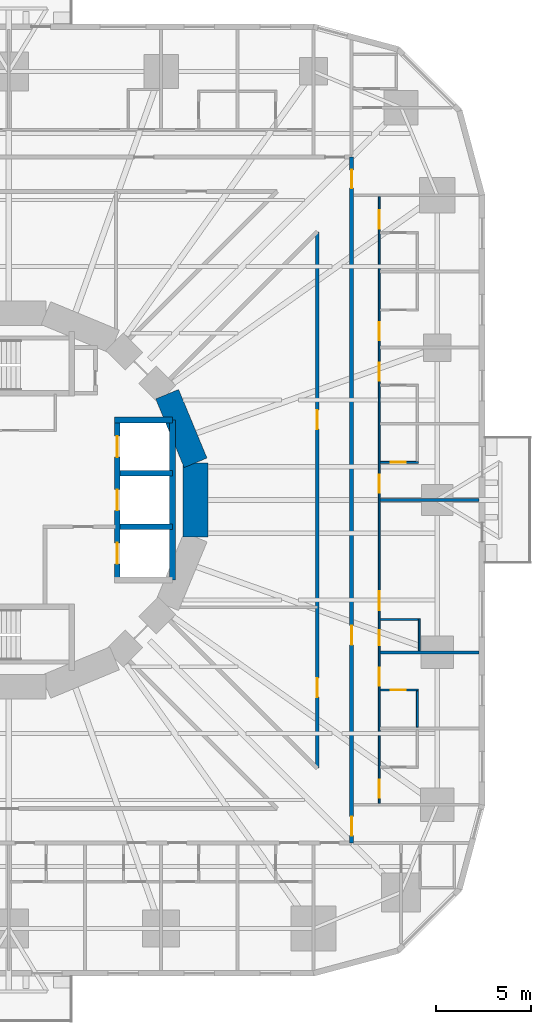
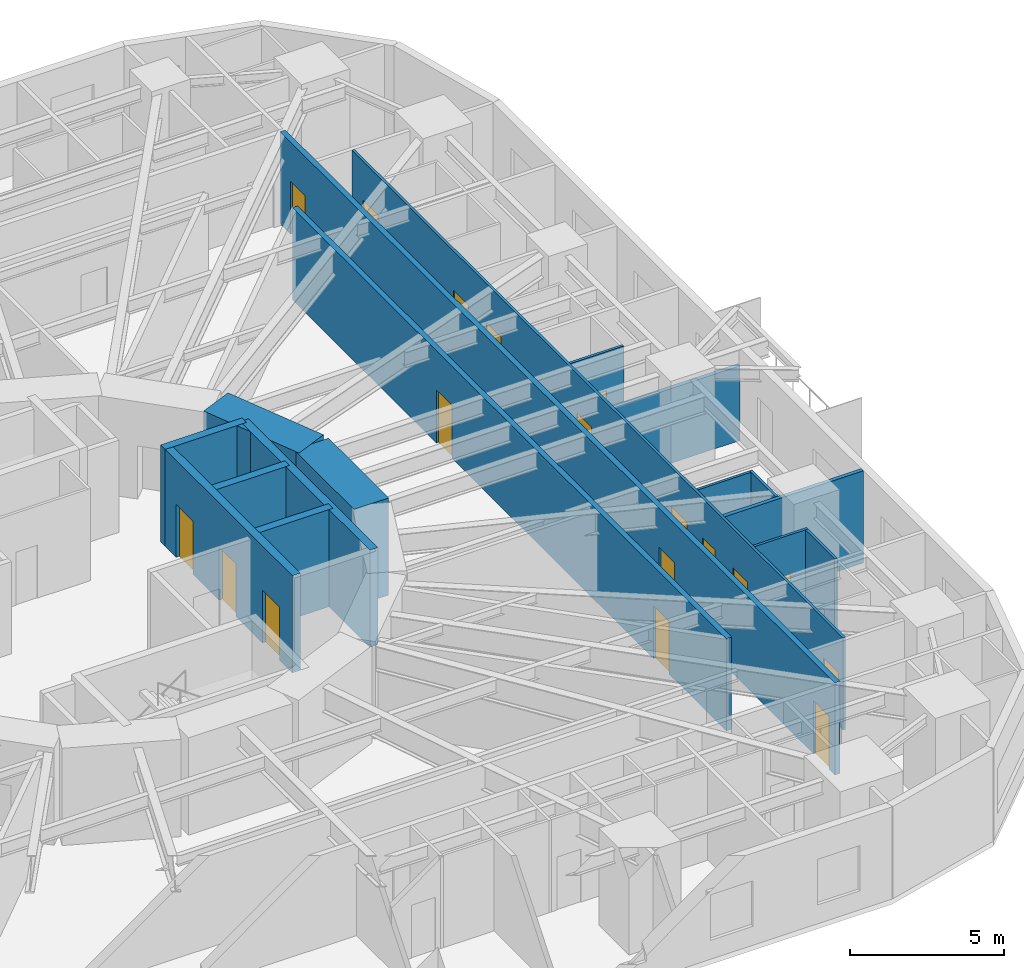
# One storey, part 8 of 14: 18 doors, 17 walls, 18 openings.
"""IFC4 building model written with IfcOpenShell, lengths in metres."""

from ifc_helpers import new_model, si_unit, direction, frame, frame_2d, origin, place, context, subcontext, project, spatial, rectangle, extrude, material, layer, layer_set, type_object, element, fill, save


model = new_model("IFC4")

# Units and contexts
model_context = context("Model", 3, precision=1e-05, world=origin(), true_north=direction((0.0, 1.0)))
body_context = subcontext(model_context, "Body", "Model", "MODEL_VIEW")
ifc_project = project(units=[si_unit("LENGTHUNIT", "METRE"), si_unit("AREAUNIT", "SQUARE_METRE"), si_unit("VOLUMEUNIT", "CUBIC_METRE"), si_unit("PLANEANGLEUNIT", "RADIAN"), si_unit("MASSUNIT", "GRAM", prefix="KILO")], contexts=[model_context])

# Site, building, storey
site_placement = place(None, origin())
site = spatial("IfcSite", under=ifc_project, at=site_placement, CompositionType="ELEMENT")
building_placement = place(site_placement, origin())
building = spatial("IfcBuilding", under=site, at=building_placement, Name="Nakasero Lantern House", CompositionType="ELEMENT")
storey_placement = place(building_placement, frame((0.0, 0.0, 35.25)))
storey = spatial("IfcBuildingStorey", under=building, at=storey_placement, Name="L08", CompositionType="ELEMENT", Elevation=35.25)

# Wall, openings, doors
ifc_material_1 = material(Name="Blockwork", Category="masonry")
ifc_layer_1 = layer(ifc_material_1, 0.10009765625)
ifc_layer_set_1 = layer_set([ifc_layer_1], Name="Cluster hall wall 100")
wall_type_1 = type_object("IfcWallType", Name="Cluster hall wall 100", PredefinedType="PARTITIONING", material=ifc_layer_set_1)
wall_1_placement = place(storey_placement, frame((19.449951171875, -15.925048828125, 0.0), z_axis=(0.0, 0.0, 1.0), x_axis=(0.0, 1.0, 0.0)))
wall_1 = element("IfcWall", 1, at=wall_1_placement, inside=storey, type_object=wall_type_1, Name="Cluster hall wall L08 HW0-0", PredefinedType="PARTITIONING", context=body_context, shape_type="SweptSolid", body=[
    extrude(rectangle(XDim=31.85009765625, YDim=0.10009765625, at=frame_2d((15.925048828125, 0.0))), origin(), (0.0, 0.0, 1.0), 3.64990234375),
])
opening_1_placement = place(wall_1_placement, frame((10.125, 0.0, 0.0)))
opening_1 = element("IfcOpeningElement", 2, at=opening_1_placement, cuts=wall_1, Name="Opening D03", PredefinedType="OPENING", context=body_context, shape_type="SweptSolid", body=[
    extrude(rectangle(XDim=1.0, YDim=2.10009765625, at=frame_2d((0.5, 1.050048828125))), frame((0.0, 0.070068359375, 0.0), z_axis=(0.0, -1.0, 0.0), x_axis=(1.0, 0.0, 0.0)), (0.0, 0.0, 1.0), 0.14013671875),
])
opening_2_placement = place(wall_1_placement, frame((8.300048828125, 0.0, 0.0)))
opening_2 = element("IfcOpeningElement", 3, at=opening_2_placement, cuts=wall_1, Name="Opening D02", PredefinedType="OPENING", context=body_context, shape_type="SweptSolid", body=[
    extrude(rectangle(XDim=0.800048828125, YDim=2.10009765625, at=frame_2d((0.39990234375, 1.050048828125))), frame((0.0, 0.070068359375, 0.0), z_axis=(0.0, -1.0, 0.0), x_axis=(1.0, 0.0, 0.0)), (0.0, 0.0, 1.0), 0.14013671875),
])
opening_3_placement = place(wall_1_placement, frame((0.300048828125, 0.0, 0.0)))
opening_3 = element("IfcOpeningElement", 4, at=opening_3_placement, cuts=wall_1, Name="Opening D01", PredefinedType="OPENING", context=body_context, shape_type="SweptSolid", body=[
    extrude(rectangle(XDim=0.949951171875, YDim=2.10009765625, at=frame_2d((0.47509765625, 1.050048828125))), frame((0.0, 0.070068359375, 0.0), z_axis=(0.0, -1.0, 0.0), x_axis=(1.0, 0.0, 0.0)), (0.0, 0.0, 1.0), 0.14013671875),
])
opening_4_placement = place(wall_1_placement, frame((6.175048828125, 0.0, 0.0)))
opening_4 = element("IfcOpeningElement", 5, at=opening_4_placement, cuts=wall_1, Name="Opening D01", PredefinedType="OPENING", context=body_context, shape_type="SweptSolid", body=[
    extrude(rectangle(XDim=0.949951171875, YDim=2.10009765625, at=frame_2d((0.47509765625, 1.050048828125))), frame((0.0, 0.070068359375, 0.0), z_axis=(0.0, -1.0, 0.0), x_axis=(1.0, 0.0, 0.0)), (0.0, 0.0, 1.0), 0.14013671875),
])
opening_5_placement = place(wall_1_placement, frame((16.300048828125, 0.0, 0.0)))
opening_5 = element("IfcOpeningElement", 6, at=opening_5_placement, cuts=wall_1, Name="Opening D01", PredefinedType="OPENING", context=body_context, shape_type="SweptSolid", body=[
    extrude(rectangle(XDim=0.949951171875, YDim=2.10009765625, at=frame_2d((0.47509765625, 1.050048828125))), frame((0.0, 0.070068359375, 0.0), z_axis=(0.0, -1.0, 0.0), x_axis=(1.0, 0.0, 0.0)), (0.0, 0.0, 1.0), 0.14013671875),
])
opening_6_placement = place(wall_1_placement, frame((22.175048828125, 0.0, 0.0)))
opening_6 = element("IfcOpeningElement", 7, at=opening_6_placement, cuts=wall_1, Name="Opening D01", PredefinedType="OPENING", context=body_context, shape_type="SweptSolid", body=[
    extrude(rectangle(XDim=0.949951171875, YDim=2.10009765625, at=frame_2d((0.47509765625, 1.050048828125))), frame((0.0, 0.070068359375, 0.0), z_axis=(0.0, -1.0, 0.0), x_axis=(1.0, 0.0, 0.0)), (0.0, 0.0, 1.0), 0.14013671875),
])
opening_7_placement = place(wall_1_placement, frame((24.300048828125, 0.0, 0.0)))
opening_7 = element("IfcOpeningElement", 8, at=opening_7_placement, cuts=wall_1, Name="Opening D01", PredefinedType="OPENING", context=body_context, shape_type="SweptSolid", body=[
    extrude(rectangle(XDim=0.949951171875, YDim=2.10009765625, at=frame_2d((0.47509765625, 1.050048828125))), frame((0.0, 0.070068359375, 0.0), z_axis=(0.0, -1.0, 0.0), x_axis=(1.0, 0.0, 0.0)), (0.0, 0.0, 1.0), 0.14013671875),
])
opening_8_placement = place(wall_1_placement, frame((30.175048828125, 0.0, 0.0)))
opening_8 = element("IfcOpeningElement", 9, at=opening_8_placement, cuts=wall_1, Name="Opening D01", PredefinedType="OPENING", context=body_context, shape_type="SweptSolid", body=[
    extrude(rectangle(XDim=0.949951171875, YDim=2.10009765625, at=frame_2d((0.47509765625, 1.050048828125))), frame((0.0, 0.070068359375, 0.0), z_axis=(0.0, -1.0, 0.0), x_axis=(1.0, 0.0, 0.0)), (0.0, 0.0, 1.0), 0.14013671875),
])
ifc_material_2 = material(Name="Timber C24", Category="wood")
door_type_1 = type_object("IfcDoorType", Name="Bedroom door FD30S 950", OperationType="SINGLE_SWING_LEFT", PredefinedType="DOOR", material=ifc_material_2)
door_1_placement = place(opening_3_placement, origin())
door_1 = element("IfcDoor", 10, at=door_1_placement, inside=storey, type_object=door_type_1, Name="Door L08 D0-01", OperationType="SINGLE_SWING_LEFT", OverallHeight=2.10009765625, OverallWidth=0.949951171875, PredefinedType="DOOR", context=body_context, shape_type="SweptSolid", body=[
    extrude(rectangle(XDim=0.949951171875, YDim=2.10009765625, at=frame_2d((0.47509765625, 1.050048828125))), frame((0.0, 0.02490234375, 0.0), z_axis=(0.0, -1.0, 0.0), x_axis=(1.0, 0.0, 0.0)), (0.0, 0.0, 1.0), 0.050048828125),
])
fill(opening_3, door_1)
door_2_placement = place(opening_4_placement, origin())
door_2 = element("IfcDoor", 11, at=door_2_placement, inside=storey, type_object=door_type_1, Name="Door L08 D0-02", OperationType="SINGLE_SWING_LEFT", OverallHeight=2.10009765625, OverallWidth=0.949951171875, PredefinedType="DOOR", context=body_context, shape_type="SweptSolid", body=[
    extrude(rectangle(XDim=0.949951171875, YDim=2.10009765625, at=frame_2d((0.47509765625, 1.050048828125))), frame((0.0, 0.02490234375, 0.0), z_axis=(0.0, -1.0, 0.0), x_axis=(1.0, 0.0, 0.0)), (0.0, 0.0, 1.0), 0.050048828125),
])
fill(opening_4, door_2)
door_3_placement = place(opening_5_placement, origin())
door_3 = element("IfcDoor", 12, at=door_3_placement, inside=storey, type_object=door_type_1, Name="Door L08 D0-05", OperationType="SINGLE_SWING_RIGHT", OverallHeight=2.10009765625, OverallWidth=0.949951171875, PredefinedType="DOOR", context=body_context, shape_type="SweptSolid", body=[
    extrude(rectangle(XDim=0.949951171875, YDim=2.10009765625, at=frame_2d((0.47509765625, 1.050048828125))), frame((0.0, 0.02490234375, 0.0), z_axis=(0.0, -1.0, 0.0), x_axis=(1.0, 0.0, 0.0)), (0.0, 0.0, 1.0), 0.050048828125),
])
fill(opening_5, door_3)
door_4_placement = place(opening_6_placement, origin())
door_4 = element("IfcDoor", 13, at=door_4_placement, inside=storey, type_object=door_type_1, Name="Door L08 D0-06", OperationType="SINGLE_SWING_RIGHT", OverallHeight=2.10009765625, OverallWidth=0.949951171875, PredefinedType="DOOR", context=body_context, shape_type="SweptSolid", body=[
    extrude(rectangle(XDim=0.949951171875, YDim=2.10009765625, at=frame_2d((0.47509765625, 1.050048828125))), frame((0.0, 0.02490234375, 0.0), z_axis=(0.0, -1.0, 0.0), x_axis=(1.0, 0.0, 0.0)), (0.0, 0.0, 1.0), 0.050048828125),
])
fill(opening_6, door_4)
door_5_placement = place(opening_7_placement, origin())
door_5 = element("IfcDoor", 14, at=door_5_placement, inside=storey, type_object=door_type_1, Name="Door L08 D0-07", OperationType="SINGLE_SWING_RIGHT", OverallHeight=2.10009765625, OverallWidth=0.949951171875, PredefinedType="DOOR", context=body_context, shape_type="SweptSolid", body=[
    extrude(rectangle(XDim=0.949951171875, YDim=2.10009765625, at=frame_2d((0.47509765625, 1.050048828125))), frame((0.0, 0.02490234375, 0.0), z_axis=(0.0, -1.0, 0.0), x_axis=(1.0, 0.0, 0.0)), (0.0, 0.0, 1.0), 0.050048828125),
])
fill(opening_7, door_5)
door_6_placement = place(opening_8_placement, origin())
door_6 = element("IfcDoor", 15, at=door_6_placement, inside=storey, type_object=door_type_1, Name="Door L08 D0-08", OperationType="SINGLE_SWING_RIGHT", OverallHeight=2.10009765625, OverallWidth=0.949951171875, PredefinedType="DOOR", context=body_context, shape_type="SweptSolid", body=[
    extrude(rectangle(XDim=0.949951171875, YDim=2.10009765625, at=frame_2d((0.47509765625, 1.050048828125))), frame((0.0, 0.02490234375, 0.0), z_axis=(0.0, -1.0, 0.0), x_axis=(1.0, 0.0, 0.0)), (0.0, 0.0, 1.0), 0.050048828125),
])
fill(opening_8, door_6)
ifc_material_3 = material(Name="Timber C24", Category="wood")
door_type_2 = type_object("IfcDoorType", Name="En-suite door 800", OperationType="SINGLE_SWING_RIGHT", PredefinedType="DOOR", material=ifc_material_3)
door_7_placement = place(opening_2_placement, origin())
door_7 = element("IfcDoor", 16, at=door_7_placement, inside=storey, type_object=door_type_2, Name="Door L08 DSH0-0", OperationType="SINGLE_SWING_LEFT", OverallHeight=2.10009765625, OverallWidth=0.800048828125, PredefinedType="DOOR", context=body_context, shape_type="SweptSolid", body=[
    extrude(rectangle(XDim=0.800048828125, YDim=2.10009765625, at=frame_2d((0.39990234375, 1.050048828125))), frame((0.0, 0.02490234375, 0.0), z_axis=(0.0, -1.0, 0.0), x_axis=(1.0, 0.0, 0.0)), (0.0, 0.0, 1.0), 0.050048828125),
])
fill(opening_2, door_7)
ifc_material_4 = material(Name="Timber C24", Category="wood")
door_type_3 = type_object("IfcDoorType", Name="Lounge door FD30S 1000", OperationType="SINGLE_SWING_LEFT", PredefinedType="DOOR", material=ifc_material_4)
door_8_placement = place(opening_1_placement, origin())
door_8 = element("IfcDoor", 17, at=door_8_placement, inside=storey, type_object=door_type_3, Name="Door L08 DH0-0", OperationType="SINGLE_SWING_LEFT", OverallHeight=2.10009765625, OverallWidth=1.0, PredefinedType="DOOR", context=body_context, shape_type="SweptSolid", body=[
    extrude(rectangle(XDim=1.0, YDim=2.10009765625, at=frame_2d((0.5, 1.050048828125))), frame((0.0, 0.02490234375, 0.0), z_axis=(0.0, -1.0, 0.0), x_axis=(1.0, 0.0, 0.0)), (0.0, 0.0, 1.0), 0.050048828125),
])
fill(opening_1, door_8)

ifc_material_5 = material(Name="Concrete C50/60", Category="concrete")
ifc_layer_2 = layer(ifc_material_5, 0.300048828125)
ifc_layer_set_2 = layer_set([ifc_layer_2], Name="Core inner wall 300")
wall_type_2 = type_object("IfcWallType", Name="Core inner wall 300", PredefinedType="SHEAR", material=ifc_layer_set_2)
wall_2_placement = place(storey_placement, frame((5.699951171875, -4.199951171875, 0.0), z_axis=(0.0, 0.0, 1.0), x_axis=(0.0, 1.0, 0.0)))
wall_2 = element("IfcWall", 18, at=wall_2_placement, inside=storey, type_object=wall_type_2, Name="Core inner wall L08 LE", PredefinedType="SHEAR", context=body_context, shape_type="SweptSolid", body=[
    extrude(rectangle(XDim=8.39990234375, YDim=0.300048828125, at=frame_2d((4.199951171875, 0.0))), origin(), (0.0, 0.0, 1.0), 3.85009765625),
])
opening_9_placement = place(wall_2_placement, frame((0.85009765625, 0.0, 0.0)))
opening_9 = element("IfcOpeningElement", 19, at=opening_9_placement, cuts=wall_2, Name="Opening LD", PredefinedType="OPENING", context=body_context, shape_type="SweptSolid", body=[
    extrude(rectangle(XDim=1.10009765625, YDim=2.10009765625, at=frame_2d((0.550048828125, 1.050048828125))), frame((0.0, 0.169921875, 0.0), z_axis=(0.0, -1.0, 0.0), x_axis=(1.0, 0.0, 0.0)), (0.0, 0.0, 1.0), 0.340087890625),
])
opening_10_placement = place(wall_2_placement, frame((3.64990234375, 0.0, 0.0)))
opening_10 = element("IfcOpeningElement", 20, at=opening_10_placement, cuts=wall_2, Name="Opening LD", PredefinedType="OPENING", context=body_context, shape_type="SweptSolid", body=[
    extrude(rectangle(XDim=1.10009765625, YDim=2.10009765625, at=frame_2d((0.550048828125, 1.050048828125))), frame((0.0, 0.169921875, 0.0), z_axis=(0.0, -1.0, 0.0), x_axis=(1.0, 0.0, 0.0)), (0.0, 0.0, 1.0), 0.340087890625),
])
opening_11_placement = place(wall_2_placement, frame((6.449951171875, 0.0, 0.0)))
opening_11 = element("IfcOpeningElement", 21, at=opening_11_placement, cuts=wall_2, Name="Opening LD", PredefinedType="OPENING", context=body_context, shape_type="SweptSolid", body=[
    extrude(rectangle(XDim=1.10009765625, YDim=2.10009765625, at=frame_2d((0.550048828125, 1.050048828125))), frame((0.0, 0.169921875, 0.0), z_axis=(0.0, -1.0, 0.0), x_axis=(1.0, 0.0, 0.0)), (0.0, 0.0, 1.0), 0.340087890625),
])
ifc_material_6 = material(Name="Steel S355", Category="steel")
door_type_4 = type_object("IfcDoorType", Name="Lift landing door E120 1100", OperationType="SLIDING_TO_LEFT", PredefinedType="DOOR", material=ifc_material_6)
door_9_placement = place(opening_9_placement, origin())
door_9 = element("IfcDoor", 22, at=door_9_placement, inside=storey, type_object=door_type_4, Name="Lift landing door LE1", OperationType="SLIDING_TO_LEFT", OverallHeight=2.10009765625, OverallWidth=1.10009765625, PredefinedType="DOOR", context=body_context, shape_type="SweptSolid", body=[
    extrude(rectangle(XDim=1.10009765625, YDim=2.10009765625, at=frame_2d((0.550048828125, 1.050048828125))), frame((0.0, 0.02490234375, 0.0), z_axis=(0.0, -1.0, 0.0), x_axis=(1.0, 0.0, 0.0)), (0.0, 0.0, 1.0), 0.050048828125),
])
fill(opening_9, door_9)
door_10_placement = place(opening_10_placement, origin())
door_10 = element("IfcDoor", 23, at=door_10_placement, inside=storey, type_object=door_type_4, Name="Lift landing door LE2", OperationType="SLIDING_TO_LEFT", OverallHeight=2.10009765625, OverallWidth=1.10009765625, PredefinedType="DOOR", context=body_context, shape_type="SweptSolid", body=[
    extrude(rectangle(XDim=1.10009765625, YDim=2.10009765625, at=frame_2d((0.550048828125, 1.050048828125))), frame((0.0, 0.02490234375, 0.0), z_axis=(0.0, -1.0, 0.0), x_axis=(1.0, 0.0, 0.0)), (0.0, 0.0, 1.0), 0.050048828125),
])
fill(opening_10, door_10)
door_11_placement = place(opening_11_placement, origin())
door_11 = element("IfcDoor", 24, at=door_11_placement, inside=storey, type_object=door_type_4, Name="Lift landing door LE3", OperationType="SLIDING_TO_LEFT", OverallHeight=2.10009765625, OverallWidth=1.10009765625, PredefinedType="DOOR", context=body_context, shape_type="SweptSolid", body=[
    extrude(rectangle(XDim=1.10009765625, YDim=2.10009765625, at=frame_2d((0.550048828125, 1.050048828125))), frame((0.0, 0.02490234375, 0.0), z_axis=(0.0, -1.0, 0.0), x_axis=(1.0, 0.0, 0.0)), (0.0, 0.0, 1.0), 0.050048828125),
])
fill(opening_11, door_11)

# Walls
wall_3_placement = place(storey_placement, frame((5.550048828125, 4.199951171875, 0.0), z_axis=(0.0, 0.0, 1.0), x_axis=(1.0, 0.0, 0.0)))
element("IfcWall", 25, at=wall_3_placement, inside=storey, type_object=wall_type_2, Name="Core inner wall L08 LEN", PredefinedType="SHEAR", context=body_context, shape_type="SweptSolid", body=[
    extrude(rectangle(XDim=3.050048828125, YDim=0.300048828125, at=frame_2d((1.52490234375, 0.0))), origin(), (0.0, 0.0, 1.0), 3.85009765625),
])
wall_4_placement = place(storey_placement, frame((8.60009765625, -4.199951171875, 0.0), z_axis=(0.0, 0.0, 1.0), x_axis=(0.0, 1.0, 0.0)))
element("IfcWall", 26, at=wall_4_placement, inside=storey, type_object=wall_type_2, Name="Core inner wall L08 LEB", PredefinedType="SHEAR", context=body_context, shape_type="SweptSolid", body=[
    extrude(rectangle(XDim=8.39990234375, YDim=0.300048828125, at=frame_2d((4.199951171875, 0.0))), origin(), (0.0, 0.0, 1.0), 3.85009765625),
])
for number, where, z_axis, x_axis, name in (
    (27, (5.85009765625, -1.39990234375, 0.0), (0.0, 0.0, 1.0), (1.0, 0.0, 0.0), "Core inner wall L08 LE1"),
    (28, (5.85009765625, 1.39990234375, 0.0), (0.0, 0.0, 1.0), (1.0, 0.0, 0.0), "Core inner wall L08 LE2"),
):
    element("IfcWall", number, at=place(storey_placement, frame(where, z_axis=z_axis, x_axis=x_axis)), inside=storey, type_object=wall_type_2, Name=name, PredefinedType="SHEAR", context=body_context, shape_type="SweptSolid", body=[
        extrude(rectangle(XDim=2.75, YDim=0.300048828125, at=frame_2d((1.375, 0.0))), origin(), (0.0, 0.0, 1.0), 3.85009765625),
    ])
ifc_material_7 = material(Name="Concrete C50/60", Category="concrete")
ifc_layer_3 = layer(ifc_material_7, 1.300048828125)
ifc_layer_set_3 = layer_set([ifc_layer_3], Name="Core wall 1300")
wall_type_3 = type_object("IfcWallType", Name="Core wall 1300", PredefinedType="SHEAR", material=ifc_layer_set_3)
for number, where, z_axis, x_axis, name in (
    (29, (9.807861328125, 1.950927734375, 0.0), (0.0, 0.0, 1.0), (-0.382690736062, 0.923876507187, 0.0), "Core wall L08 facet 1"),
    (30, (9.807861328125, -1.950927734375, 0.0), (0.0, 0.0, 1.0), (0.0, 1.0, 0.0), "Core wall L08 facet 16"),
):
    element("IfcWall", number, at=place(storey_placement, frame(where, z_axis=z_axis, x_axis=x_axis)), inside=storey, type_object=wall_type_3, Name=name, PredefinedType="SHEAR", context=body_context, shape_type="SweptSolid", body=[
        extrude(rectangle(XDim=3.90185546875, YDim=1.300048828125, at=frame_2d((1.950927734375, 0.0))), origin(), (0.0, 0.0, 1.0), 3.85009765625),
    ])

# Wall, openings, doors
ifc_material_8 = material(Name="Blockwork", Category="masonry")
ifc_layer_4 = layer(ifc_material_8, 0.199951171875)
ifc_layer_set_4 = layer_set([ifc_layer_4], Name="Corridor wall 200")
wall_type_4 = type_object("IfcWallType", Name="Corridor wall 200", PredefinedType="PARTITIONING", material=ifc_layer_set_4)
wall_5_placement = place(storey_placement, frame((18.0, -18.0, 0.0), z_axis=(0.0, 0.0, 1.0), x_axis=(0.0, 1.0, 0.0)))
wall_5 = element("IfcWall", 31, at=wall_5_placement, inside=storey, type_object=wall_type_4, Name="Corridor wall L08 CW0", PredefinedType="PARTITIONING", context=body_context, shape_type="SweptSolid", body=[
    extrude(rectangle(XDim=36.0, YDim=0.199951171875, at=frame_2d((18.0, 0.0))), origin(), (0.0, 0.0, 1.0), 3.64990234375),
])
opening_12_placement = place(wall_5_placement, frame((10.39990234375, 0.0, 0.0)))
opening_12 = element("IfcOpeningElement", 32, at=opening_12_placement, cuts=wall_5, Name="Opening D14", PredefinedType="OPENING", context=body_context, shape_type="SweptSolid", body=[
    extrude(rectangle(XDim=1.0, YDim=2.10009765625, at=frame_2d((0.5, 1.050048828125))), frame((0.0, 0.119873046875, 0.0), z_axis=(0.0, -1.0, 0.0), x_axis=(1.0, 0.0, 0.0)), (0.0, 0.0, 1.0), 0.239990234375),
])
opening_13_placement = place(wall_5_placement, frame((0.375, 0.0, 0.0)))
opening_13 = element("IfcOpeningElement", 33, at=opening_13_placement, cuts=wall_5, Name="Opening D07", PredefinedType="OPENING", context=body_context, shape_type="SweptSolid", body=[
    extrude(rectangle(XDim=1.0, YDim=2.10009765625, at=frame_2d((0.5, 1.050048828125))), frame((0.0, 0.119873046875, 0.0), z_axis=(0.0, -1.0, 0.0), x_axis=(1.0, 0.0, 0.0)), (0.0, 0.0, 1.0), 0.239990234375),
])
opening_14_placement = place(wall_5_placement, frame((34.375, 0.0, 0.0)))
opening_14 = element("IfcOpeningElement", 34, at=opening_14_placement, cuts=wall_5, Name="Opening D01", PredefinedType="OPENING", context=body_context, shape_type="SweptSolid", body=[
    extrude(rectangle(XDim=0.949951171875, YDim=2.10009765625, at=frame_2d((0.47509765625, 1.050048828125))), frame((0.0, 0.119873046875, 0.0), z_axis=(0.0, -1.0, 0.0), x_axis=(1.0, 0.0, 0.0)), (0.0, 0.0, 1.0), 0.239990234375),
])
door_12_placement = place(opening_14_placement, origin())
door_12 = element("IfcDoor", 35, at=door_12_placement, inside=storey, type_object=door_type_1, Name="Door L08 D0-09", OperationType="SINGLE_SWING_RIGHT", OverallHeight=2.10009765625, OverallWidth=0.949951171875, PredefinedType="DOOR", context=body_context, shape_type="SweptSolid", body=[
    extrude(rectangle(XDim=0.949951171875, YDim=2.10009765625, at=frame_2d((0.47509765625, 1.050048828125))), frame((0.0, 0.02490234375, 0.0), z_axis=(0.0, -1.0, 0.0), x_axis=(1.0, 0.0, 0.0)), (0.0, 0.0, 1.0), 0.050048828125),
])
fill(opening_14, door_12)
ifc_material_9 = material(Name="Timber C24", Category="wood")
door_type_5 = type_object("IfcDoorType", Name="Cluster entrance door FD30S 1000", OperationType="SINGLE_SWING_LEFT", PredefinedType="DOOR", material=ifc_material_9)
door_13_placement = place(opening_12_placement, origin())
door_13 = element("IfcDoor", 36, at=door_13_placement, inside=storey, type_object=door_type_5, Name="Door L08 DF0-0", OperationType="SINGLE_SWING_LEFT", OverallHeight=2.10009765625, OverallWidth=1.0, PredefinedType="DOOR", context=body_context, shape_type="SweptSolid", body=[
    extrude(rectangle(XDim=1.0, YDim=2.10009765625, at=frame_2d((0.5, 1.050048828125))), frame((0.0, 0.02490234375, 0.0), z_axis=(0.0, -1.0, 0.0), x_axis=(1.0, 0.0, 0.0)), (0.0, 0.0, 1.0), 0.050048828125),
])
fill(opening_12, door_13)
ifc_material_10 = material(Name="Timber C24", Category="wood")
door_type_6 = type_object("IfcDoorType", Name="Room door FD30S 1000", OperationType="SINGLE_SWING_LEFT", PredefinedType="DOOR", material=ifc_material_10)
door_14_placement = place(opening_13_placement, origin())
door_14 = element("IfcDoor", 37, at=door_14_placement, inside=storey, type_object=door_type_6, Name="Door L08 D0-00", OperationType="SINGLE_SWING_LEFT", OverallHeight=2.10009765625, OverallWidth=1.0, PredefinedType="DOOR", context=body_context, shape_type="SweptSolid", body=[
    extrude(rectangle(XDim=1.0, YDim=2.10009765625, at=frame_2d((0.5, 1.050048828125))), frame((0.0, 0.02490234375, 0.0), z_axis=(0.0, -1.0, 0.0), x_axis=(1.0, 0.0, 0.0)), (0.0, 0.0, 1.0), 0.050048828125),
])
fill(opening_13, door_14)

wall_6_placement = place(storey_placement, frame((16.199951171875, -14.07861328125, 0.0), z_axis=(0.0, 0.0, 1.0), x_axis=(0.0, 1.0, 0.0)))
wall_6 = element("IfcWall", 38, at=wall_6_placement, inside=storey, type_object=wall_type_4, Name="Corridor wall L08 IW0-0", PredefinedType="PARTITIONING", context=body_context, shape_type="SweptSolid", body=[
    extrude(rectangle(XDim=28.1572265625, YDim=0.199951171875, at=frame_2d((14.07861328125, 0.0))), origin(), (0.0, 0.0, 1.0), 3.64990234375),
])
opening_15_placement = place(wall_6_placement, frame((3.7236328125, 0.0, 0.0)))
opening_15 = element("IfcOpeningElement", 39, at=opening_15_placement, cuts=wall_6, Name="Opening D07", PredefinedType="OPENING", context=body_context, shape_type="SweptSolid", body=[
    extrude(rectangle(XDim=1.0, YDim=2.10009765625, at=frame_2d((0.5, 1.050048828125))), frame((0.0, 0.119873046875, 0.0), z_axis=(0.0, -1.0, 0.0), x_axis=(1.0, 0.0, 0.0)), (0.0, 0.0, 1.0), 0.239990234375),
])
opening_16_placement = place(wall_6_placement, frame((17.80224609375, 0.0, 0.0)))
opening_16 = element("IfcOpeningElement", 40, at=opening_16_placement, cuts=wall_6, Name="Opening D07", PredefinedType="OPENING", context=body_context, shape_type="SweptSolid", body=[
    extrude(rectangle(XDim=1.0, YDim=2.10009765625, at=frame_2d((0.5, 1.050048828125))), frame((0.0, 0.119873046875, 0.0), z_axis=(0.0, -1.0, 0.0), x_axis=(1.0, 0.0, 0.0)), (0.0, 0.0, 1.0), 0.239990234375),
])
door_15_placement = place(opening_15_placement, origin())
door_15 = element("IfcDoor", 41, at=door_15_placement, inside=storey, type_object=door_type_6, Name="Door L08 DI1", OperationType="SINGLE_SWING_LEFT", OverallHeight=2.10009765625, OverallWidth=1.0, PredefinedType="DOOR", context=body_context, shape_type="SweptSolid", body=[
    extrude(rectangle(XDim=1.0, YDim=2.10009765625, at=frame_2d((0.5, 1.050048828125))), frame((0.0, 0.02490234375, 0.0), z_axis=(0.0, -1.0, 0.0), x_axis=(1.0, 0.0, 0.0)), (0.0, 0.0, 1.0), 0.050048828125),
])
fill(opening_15, door_15)
door_16_placement = place(opening_16_placement, origin())
door_16 = element("IfcDoor", 42, at=door_16_placement, inside=storey, type_object=door_type_6, Name="Door L08 DI1S", OperationType="SINGLE_SWING_RIGHT", OverallHeight=2.10009765625, OverallWidth=1.0, PredefinedType="DOOR", context=body_context, shape_type="SweptSolid", body=[
    extrude(rectangle(XDim=1.0, YDim=2.10009765625, at=frame_2d((0.5, 1.050048828125))), frame((0.0, 0.02490234375, 0.0), z_axis=(0.0, -1.0, 0.0), x_axis=(1.0, 0.0, 0.0)), (0.0, 0.0, 1.0), 0.050048828125),
])
fill(opening_16, door_16)

# Walls
ifc_material_11 = material(Name="Blockwork", Category="masonry")
ifc_layer_5 = layer(ifc_material_11, 0.10009765625)
ifc_layer_set_5 = layer_set([ifc_layer_5], Name="En-suite wall 100")
wall_type_5 = type_object("IfcWallType", Name="En-suite wall 100", PredefinedType="PARTITIONING", material=ifc_layer_set_5)
wall_7_placement = place(storey_placement, frame((19.5, -6.27490234375, 0.0), z_axis=(0.0, 0.0, 1.0), x_axis=(1.0, 0.0, 0.0)))
element("IfcWall", 43, at=wall_7_placement, inside=storey, type_object=wall_type_5, Name="En-suite wall L08 SS0-0", PredefinedType="PARTITIONING", context=body_context, shape_type="SweptSolid", body=[
    extrude(rectangle(XDim=2.10009765625, YDim=0.10009765625, at=frame_2d((1.050048828125, 0.0))), origin(), (0.0, 0.0, 1.0), 3.64990234375),
])
wall_8_placement = place(storey_placement, frame((21.550048828125, -7.925048828125, 0.0), z_axis=(0.0, 0.0, 1.0), x_axis=(0.0, 1.0, 0.0)))
element("IfcWall", 44, at=wall_8_placement, inside=storey, type_object=wall_type_5, Name="En-suite wall L08 SE0-0", PredefinedType="PARTITIONING", context=body_context, shape_type="SweptSolid", body=[
    extrude(rectangle(XDim=1.699951171875, YDim=0.10009765625, at=frame_2d((0.85009765625, 0.0))), origin(), (0.0, 0.0, 1.0), 3.64990234375),
])

# Wall, opening, door
wall_9_placement = place(storey_placement, frame((19.5, -9.97509765625, 0.0), z_axis=(0.0, 0.0, 1.0), x_axis=(1.0, 0.0, 0.0)))
wall_9 = element("IfcWall", 45, at=wall_9_placement, inside=storey, type_object=wall_type_5, Name="En-suite wall L08 ES0-02", PredefinedType="PARTITIONING", context=body_context, shape_type="SweptSolid", body=[
    extrude(rectangle(XDim=2.0, YDim=0.10009765625, at=frame_2d((1.0, 0.0))), origin(), (0.0, 0.0, 1.0), 3.64990234375),
])
opening_17_placement = place(wall_9_placement, frame((0.550048828125, 0.0, 0.0)))
opening_17 = element("IfcOpeningElement", 46, at=opening_17_placement, cuts=wall_9, Name="Opening D02", PredefinedType="OPENING", context=body_context, shape_type="SweptSolid", body=[
    extrude(rectangle(XDim=0.800048828125, YDim=2.10009765625, at=frame_2d((0.39990234375, 1.050048828125))), frame((0.0, 0.070068359375, 0.0), z_axis=(0.0, -1.0, 0.0), x_axis=(1.0, 0.0, 0.0)), (0.0, 0.0, 1.0), 0.14013671875),
])
door_17_placement = place(opening_17_placement, origin())
door_17 = element("IfcDoor", 47, at=door_17_placement, inside=storey, type_object=door_type_2, Name="Door L08 DE0-02", OperationType="SINGLE_SWING_LEFT", OverallHeight=2.10009765625, OverallWidth=0.800048828125, PredefinedType="DOOR", context=body_context, shape_type="SweptSolid", body=[
    extrude(rectangle(XDim=0.800048828125, YDim=2.10009765625, at=frame_2d((0.39990234375, 1.050048828125))), frame((0.0, 0.02490234375, 0.0), z_axis=(0.0, -1.0, 0.0), x_axis=(1.0, 0.0, 0.0)), (0.0, 0.0, 1.0), 0.050048828125),
])
fill(opening_17, door_17)

# Wall
wall_10_placement = place(storey_placement, frame((21.449951171875, -11.925048828125, 0.0), z_axis=(0.0, 0.0, 1.0), x_axis=(0.0, 1.0, 0.0)))
element("IfcWall", 48, at=wall_10_placement, inside=storey, type_object=wall_type_5, Name="En-suite wall L08 EE0-02", PredefinedType="PARTITIONING", context=body_context, shape_type="SweptSolid", body=[
    extrude(rectangle(XDim=1.900146484375, YDim=0.10009765625, at=frame_2d((0.9501953125, 0.0))), origin(), (0.0, 0.0, 1.0), 3.64990234375),
])

# Wall, opening, door
wall_11_placement = place(storey_placement, frame((19.5, 1.97509765625, 0.0), z_axis=(0.0, 0.0, 1.0), x_axis=(1.0, 0.0, 0.0)))
wall_11 = element("IfcWall", 49, at=wall_11_placement, inside=storey, type_object=wall_type_5, Name="En-suite wall L08 ES0-05", PredefinedType="PARTITIONING", context=body_context, shape_type="SweptSolid", body=[
    extrude(rectangle(XDim=2.0, YDim=0.10009765625, at=frame_2d((1.0, 0.0))), origin(), (0.0, 0.0, 1.0), 3.64990234375),
])
opening_18_placement = place(wall_11_placement, frame((0.550048828125, 0.0, 0.0)))
opening_18 = element("IfcOpeningElement", 50, at=opening_18_placement, cuts=wall_11, Name="Opening D02", PredefinedType="OPENING", context=body_context, shape_type="SweptSolid", body=[
    extrude(rectangle(XDim=0.800048828125, YDim=2.10009765625, at=frame_2d((0.39990234375, 1.050048828125))), frame((0.0, 0.070068359375, 0.0), z_axis=(0.0, -1.0, 0.0), x_axis=(1.0, 0.0, 0.0)), (0.0, 0.0, 1.0), 0.14013671875),
])
door_18_placement = place(opening_18_placement, origin())
door_18 = element("IfcDoor", 51, at=door_18_placement, inside=storey, type_object=door_type_2, Name="Door L08 DE0-05", OperationType="SINGLE_SWING_LEFT", OverallHeight=2.10009765625, OverallWidth=0.800048828125, PredefinedType="DOOR", context=body_context, shape_type="SweptSolid", body=[
    extrude(rectangle(XDim=0.800048828125, YDim=2.10009765625, at=frame_2d((0.39990234375, 1.050048828125))), frame((0.0, 0.02490234375, 0.0), z_axis=(0.0, -1.0, 0.0), x_axis=(1.0, 0.0, 0.0)), (0.0, 0.0, 1.0), 0.050048828125),
])
fill(opening_18, door_18)

# Walls
ifc_material_12 = material(Name="Blockwork", Category="masonry")
ifc_layer_6 = layer(ifc_material_12, 0.14990234375)
ifc_layer_set_6 = layer_set([ifc_layer_6], Name="Party wall 150")
wall_type_6 = type_object("IfcWallType", Name="Party wall 150", PredefinedType="PARTITIONING", material=ifc_layer_set_6)
wall_12_placement = place(storey_placement, frame((19.5, -8.0, 0.0), z_axis=(0.0, 0.0, 1.0), x_axis=(1.0, 0.0, 0.0)))
element("IfcWall", 52, at=wall_12_placement, inside=storey, type_object=wall_type_6, Name="Party wall L08 PW0-03", PredefinedType="PARTITIONING", context=body_context, shape_type="SweptSolid", body=[
    extrude(rectangle(XDim=5.199951171875, YDim=0.14990234375, at=frame_2d((2.60009765625, 0.0))), origin(), (0.0, 0.0, 1.0), 3.64990234375),
])
wall_13_placement = place(storey_placement, frame((19.5, 0.0, 0.0), z_axis=(0.0, 0.0, 1.0), x_axis=(1.0, 0.0, 0.0)))
element("IfcWall", 53, at=wall_13_placement, inside=storey, type_object=wall_type_6, Name="Party wall L08 PW0-05", PredefinedType="PARTITIONING", context=body_context, shape_type="SweptSolid", body=[
    extrude(rectangle(XDim=5.199951171875, YDim=0.14990234375, at=frame_2d((2.60009765625, 0.0))), origin(), (0.0, 0.0, 1.0), 2.95703125),
])

save(model, "model.ifc")
